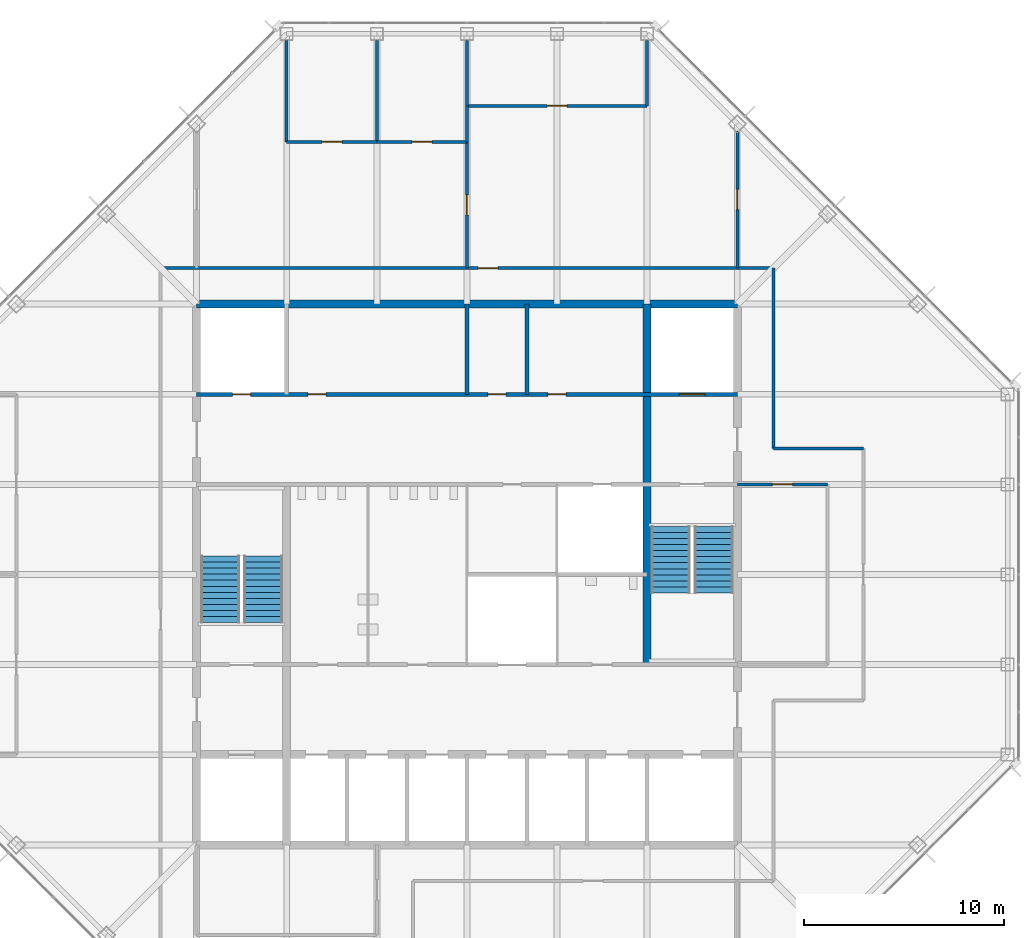
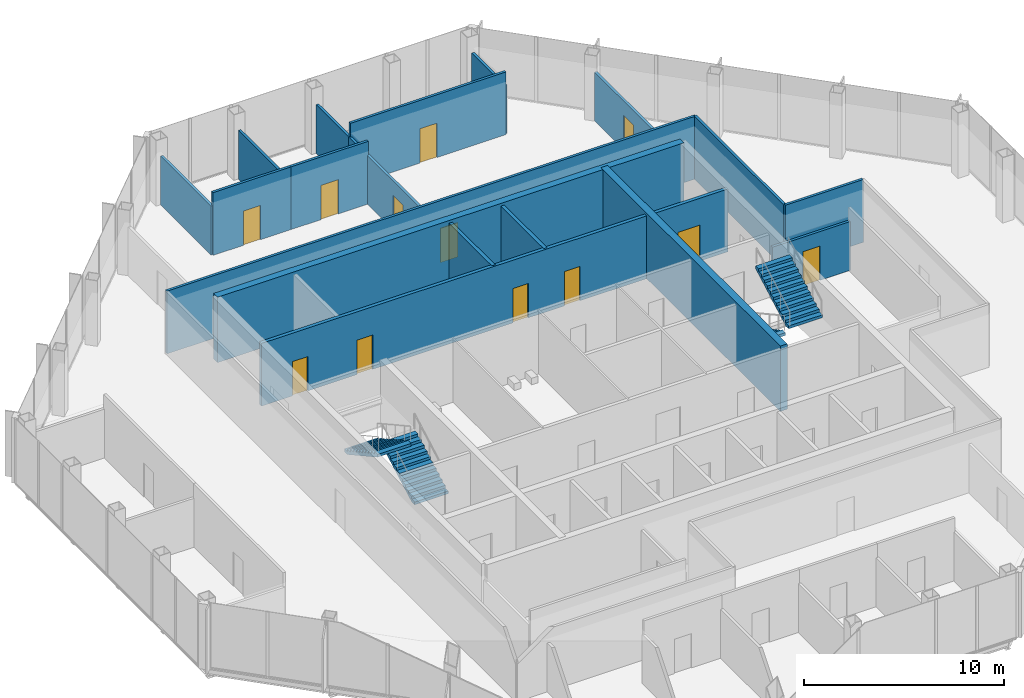
# One storey, part 11 of 13: 19 walls, 12 doors, 4 stair flights, 12 openings, 2 elements without a shape of their own.
"""IFC4 building model written with IfcOpenShell, lengths in metres."""

from ifc_helpers import new_model, si_unit, direction, frame, frame_2d, origin, place, context, subcontext, project, spatial, polyline, rectangle, outline, extrude, material, layer, layer_set, type_object, element, fill, aggregate, save


model = new_model("IFC4")

# Units and contexts
model_context = context("Model", 3, precision=1e-05, world=origin(), true_north=direction((0.0, 1.0)))
body_context = subcontext(model_context, "Body", "Model", "MODEL_VIEW")
ifc_project = project(units=[si_unit("LENGTHUNIT", "METRE"), si_unit("AREAUNIT", "SQUARE_METRE"), si_unit("VOLUMEUNIT", "CUBIC_METRE"), si_unit("PLANEANGLEUNIT", "RADIAN"), si_unit("MASSUNIT", "GRAM", prefix="KILO")], contexts=[model_context])

# Site, building, storey
site_placement = place(None, origin())
site = spatial("IfcSite", under=ifc_project, at=site_placement, CompositionType="ELEMENT")
building_placement = place(site_placement, origin())
building = spatial("IfcBuilding", under=site, at=building_placement, Name="Corais Broadcast Tower", CompositionType="ELEMENT")
storey_placement = place(building_placement, frame((0.0, 0.0, 222.60009765625)))
storey = spatial("IfcBuildingStorey", under=building, at=storey_placement, Name="L51", CompositionType="ELEMENT", Elevation=222.60009765625)

# Walls
ifc_material_1 = material(Name="Concrete C50/60", Category="concrete")
ifc_layer_1 = layer(ifc_material_1, 0.39990234375)
ifc_layer_set_1 = layer_set([ifc_layer_1], Name="Concrete C50/60")
wall_type_1 = type_object("IfcWallType", Name="Core wall 400", PredefinedType="SHEAR", material=ifc_layer_set_1)
wall_1_placement = place(storey_placement, frame((40.5, 40.5, 0.0), z_axis=(0.0, 0.0, 1.0), x_axis=(-1.0, 0.0, 0.0)))
element("IfcWall", 1, at=wall_1_placement, inside=storey, type_object=wall_type_1, Name="CR400 core wall N L51", PredefinedType="SHEAR", context=body_context, shape_type="SweptSolid", body=[
    extrude(rectangle(XDim=27.0, YDim=0.39990234375, at=frame_2d((13.5, 0.0))), origin(), (0.0, 0.0, 1.0), 4.0),
])
wall_2_placement = place(storey_placement, frame((36.0, 22.5, 0.0), z_axis=(0.0, 0.0, 1.0), x_axis=(0.0, 1.0, 0.0)))
element("IfcWall", 2, at=wall_2_placement, inside=storey, type_object=wall_type_1, Name="CR400 core wall X36B L51", PredefinedType="SHEAR", context=body_context, shape_type="SweptSolid", body=[
    extrude(rectangle(XDim=18.0, YDim=0.39990234375, at=frame_2d((9.0, 0.0))), origin(), (0.0, 0.0, 1.0), 4.0),
])

# Wall, openings, doors
ifc_material_2 = material(Name="Concrete blockwork class A, grouted, four-hour", Category="masonry")
ifc_layer_2 = layer(ifc_material_2, 0.199951171875)
ifc_layer_set_2 = layer_set([ifc_layer_2], Name="Concrete blockwork class A, grouted, four-hour")
wall_type_2 = type_object("IfcWallType", Name="Emergency lift shaft wall 200", PredefinedType="SOLIDWALL", material=ifc_layer_set_2)
wall_3_placement = place(storey_placement, frame((13.5, 36.0, 0.0), z_axis=(0.0, 0.0, 1.0), x_axis=(1.0, 0.0, 0.0)))
wall_3 = element("IfcWall", 3, at=wall_3_placement, inside=storey, type_object=wall_type_2, Name="LS3 core lobby wall Y36 L51", PredefinedType="SOLIDWALL", context=body_context, shape_type="SweptSolid", body=[
    extrude(rectangle(XDim=27.0, YDim=0.199951171875, at=frame_2d((13.5, 0.0))), origin(), (0.0, 0.0, 1.0), 3.83984375),
])
opening_1_placement = place(wall_3_placement, frame((1.800048828125, 0.0, 0.0)))
opening_1 = element("IfcOpeningElement", 4, at=opening_1_placement, cuts=wall_3, Name="Opening RD1", PredefinedType="OPENING", context=body_context, shape_type="SweptSolid", body=[
    extrude(rectangle(XDim=0.89990234375, YDim=2.10009765625, at=frame_2d((0.449951171875, 1.050048828125))), frame((0.0, 0.10986328125, 0.0), z_axis=(0.0, -1.0, 0.0), x_axis=(1.0, 0.0, 0.0)), (0.0, 0.0, 1.0), 0.219970703125),
])
opening_2_placement = place(wall_3_placement, frame((5.550048828125, 0.0, 0.0)))
opening_2 = element("IfcOpeningElement", 5, at=opening_2_placement, cuts=wall_3, Name="Opening RD1", PredefinedType="OPENING", context=body_context, shape_type="SweptSolid", body=[
    extrude(rectangle(XDim=0.89990234375, YDim=2.10009765625, at=frame_2d((0.449951171875, 1.050048828125))), frame((0.0, 0.10986328125, 0.0), z_axis=(0.0, -1.0, 0.0), x_axis=(1.0, 0.0, 0.0)), (0.0, 0.0, 1.0), 0.219970703125),
])
opening_3_placement = place(wall_3_placement, frame((14.550048828125, 0.0, 0.0)))
opening_3 = element("IfcOpeningElement", 6, at=opening_3_placement, cuts=wall_3, Name="Opening RD1", PredefinedType="OPENING", context=body_context, shape_type="SweptSolid", body=[
    extrude(rectangle(XDim=0.89990234375, YDim=2.10009765625, at=frame_2d((0.449951171875, 1.050048828125))), frame((0.0, 0.10986328125, 0.0), z_axis=(0.0, -1.0, 0.0), x_axis=(1.0, 0.0, 0.0)), (0.0, 0.0, 1.0), 0.219970703125),
])
opening_4_placement = place(wall_3_placement, frame((17.550048828125, 0.0, 0.0)))
opening_4 = element("IfcOpeningElement", 7, at=opening_4_placement, cuts=wall_3, Name="Opening RD1", PredefinedType="OPENING", context=body_context, shape_type="SweptSolid", body=[
    extrude(rectangle(XDim=0.89990234375, YDim=2.10009765625, at=frame_2d((0.449951171875, 1.050048828125))), frame((0.0, 0.10986328125, 0.0), z_axis=(0.0, -1.0, 0.0), x_axis=(1.0, 0.0, 0.0)), (0.0, 0.0, 1.0), 0.219970703125),
])
opening_5_placement = place(wall_3_placement, frame((24.10009765625, 0.0, 0.0)))
opening_5 = element("IfcOpeningElement", 8, at=opening_5_placement, cuts=wall_3, Name="Opening LD2", PredefinedType="OPENING", context=body_context, shape_type="SweptSolid", body=[
    extrude(rectangle(XDim=1.300048828125, YDim=2.199951171875, at=frame_2d((0.64990234375, 1.10009765625))), frame((0.0, 0.10986328125, 0.0), z_axis=(0.0, -1.0, 0.0), x_axis=(1.0, 0.0, 0.0)), (0.0, 0.0, 1.0), 0.219970703125),
])
ifc_material_3 = material(Name="Stainless steel lift door", Category="steel")
door_type_1 = type_object("IfcDoorType", Name="Lift landing door 1300x2200", OperationType="SLIDING_TO_LEFT", PredefinedType="DOOR", material=ifc_material_3)
door_1_placement = place(opening_5_placement, origin())
door_1 = element("IfcDoor", 9, at=door_1_placement, inside=storey, type_object=door_type_1, Name="LD2 FL2 landing door L51", OperationType="SLIDING_TO_LEFT", OverallHeight=2.199951171875, OverallWidth=1.300048828125, PredefinedType="DOOR", context=body_context, shape_type="SweptSolid", body=[
    extrude(rectangle(XDim=1.300048828125, YDim=2.199951171875, at=frame_2d((0.64990234375, 1.10009765625))), frame((0.0, 0.02490234375, 0.0), z_axis=(0.0, -1.0, 0.0), x_axis=(1.0, 0.0, 0.0)), (0.0, 0.0, 1.0), 0.050048828125),
])
fill(opening_5, door_1)
ifc_material_4 = material(Name="Steel fire door", Category="steel")
door_type_2 = type_object("IfcDoorType", Name="Riser door 900x2100", OperationType="SINGLE_SWING_LEFT", PredefinedType="DOOR", material=ifc_material_4)
door_2_placement = place(opening_1_placement, origin())
door_2 = element("IfcDoor", 10, at=door_2_placement, inside=storey, type_object=door_type_2, Name="RD1 riser door L51", OperationType="SINGLE_SWING_LEFT", OverallHeight=2.10009765625, OverallWidth=0.89990234375, PredefinedType="DOOR", context=body_context, shape_type="SweptSolid", body=[
    extrude(rectangle(XDim=0.89990234375, YDim=2.10009765625, at=frame_2d((0.449951171875, 1.050048828125))), frame((0.0, 0.02490234375, 0.0), z_axis=(0.0, -1.0, 0.0), x_axis=(1.0, 0.0, 0.0)), (0.0, 0.0, 1.0), 0.050048828125),
])
fill(opening_1, door_2)
door_3_placement = place(opening_2_placement, origin())
door_3 = element("IfcDoor", 11, at=door_3_placement, inside=storey, type_object=door_type_2, Name="RD1 media store door L51", OperationType="SINGLE_SWING_LEFT", OverallHeight=2.10009765625, OverallWidth=0.89990234375, PredefinedType="DOOR", context=body_context, shape_type="SweptSolid", body=[
    extrude(rectangle(XDim=0.89990234375, YDim=2.10009765625, at=frame_2d((0.449951171875, 1.050048828125))), frame((0.0, 0.02490234375, 0.0), z_axis=(0.0, -1.0, 0.0), x_axis=(1.0, 0.0, 0.0)), (0.0, 0.0, 1.0), 0.050048828125),
])
fill(opening_2, door_3)
door_4_placement = place(opening_3_placement, origin())
door_4 = element("IfcDoor", 12, at=door_4_placement, inside=storey, type_object=door_type_2, Name="RD1 locker room door L51", OperationType="SINGLE_SWING_RIGHT", OverallHeight=2.10009765625, OverallWidth=0.89990234375, PredefinedType="DOOR", context=body_context, shape_type="SweptSolid", body=[
    extrude(rectangle(XDim=0.89990234375, YDim=2.10009765625, at=frame_2d((0.449951171875, 1.050048828125))), frame((0.0, 0.02490234375, 0.0), z_axis=(0.0, -1.0, 0.0), x_axis=(1.0, 0.0, 0.0)), (0.0, 0.0, 1.0), 0.050048828125),
])
fill(opening_3, door_4)
door_5_placement = place(opening_4_placement, origin())
door_5 = element("IfcDoor", 13, at=door_5_placement, inside=storey, type_object=door_type_2, Name="RD1 print room door L51", OperationType="SINGLE_SWING_RIGHT", OverallHeight=2.10009765625, OverallWidth=0.89990234375, PredefinedType="DOOR", context=body_context, shape_type="SweptSolid", body=[
    extrude(rectangle(XDim=0.89990234375, YDim=2.10009765625, at=frame_2d((0.449951171875, 1.050048828125))), frame((0.0, 0.02490234375, 0.0), z_axis=(0.0, -1.0, 0.0), x_axis=(1.0, 0.0, 0.0)), (0.0, 0.0, 1.0), 0.050048828125),
])
fill(opening_4, door_5)

# Wall, opening, door
ifc_material_5 = material(Name="Gypsum board on steel studs", Category="steel")
ifc_layer_3 = layer(ifc_material_5, 0.14990234375)
ifc_layer_set_3 = layer_set([ifc_layer_3], Name="Gypsum board on steel studs")
wall_type_3 = type_object("IfcWallType", Name="Partition 150", PredefinedType="PARTITIONING", material=ifc_layer_set_3)
wall_4_placement = place(storey_placement, frame((42.300048828125, 42.300048828125, 0.0), z_axis=(0.0, 0.0, 1.0), x_axis=(-1.0, 0.0, 0.0)))
wall_4 = element("IfcWall", 14, at=wall_4_placement, inside=storey, type_object=wall_type_3, Name="IW3 corridor wall L51", PredefinedType="PARTITIONING", context=body_context, shape_type="SweptSolid", body=[
    extrude(rectangle(XDim=30.60009765625, YDim=0.14990234375, at=frame_2d((15.300048828125, 0.0))), origin(), (0.0, 0.0, 1.0), 3.83984375),
])
opening_6_placement = place(wall_4_placement, frame((13.75, 0.0, 0.0)))
opening_6 = element("IfcOpeningElement", 15, at=opening_6_placement, cuts=wall_4, Name="Opening D1", PredefinedType="OPENING", context=body_context, shape_type="SweptSolid", body=[
    extrude(rectangle(XDim=1.0, YDim=2.10009765625, at=frame_2d((0.5, 1.050048828125))), frame((0.0, 0.0849609375, 0.0), z_axis=(0.0, -1.0, 0.0), x_axis=(1.0, 0.0, 0.0)), (0.0, 0.0, 1.0), 0.169921875),
])
ifc_material_6 = material(Name="Timber door", Category="wood")
door_type_3 = type_object("IfcDoorType", Name="Single door 1000x2100", OperationType="SINGLE_SWING_LEFT", PredefinedType="DOOR", material=ifc_material_6)
door_6_placement = place(opening_6_placement, origin())
door_6 = element("IfcDoor", 16, at=door_6_placement, inside=storey, type_object=door_type_3, Name="D1 workplace door L51", OperationType="SINGLE_SWING_LEFT", OverallHeight=2.10009765625, OverallWidth=1.0, PredefinedType="DOOR", context=body_context, shape_type="SweptSolid", body=[
    extrude(rectangle(XDim=1.0, YDim=2.10009765625, at=frame_2d((0.5, 1.050048828125))), frame((0.0, 0.02490234375, 0.0), z_axis=(0.0, -1.0, 0.0), x_axis=(1.0, 0.0, 0.0)), (0.0, 0.0, 1.0), 0.050048828125),
])
fill(opening_6, door_6)

# Walls
wall_5_placement = place(storey_placement, frame((42.300048828125, 33.300048828125, 0.0), z_axis=(0.0, 0.0, 1.0), x_axis=(0.0, 1.0, 0.0)))
element("IfcWall", 17, at=wall_5_placement, inside=storey, type_object=wall_type_3, Name="IW3 corridor wall L51", PredefinedType="PARTITIONING", context=body_context, shape_type="SweptSolid", body=[
    extrude(rectangle(XDim=9.0, YDim=0.14990234375, at=frame_2d((4.5, 0.0))), origin(), (0.0, 0.0, 1.0), 3.83984375),
])
wall_6_placement = place(storey_placement, frame((46.800048828125, 33.300048828125, 0.0), z_axis=(0.0, 0.0, 1.0), x_axis=(-1.0, 0.0, 0.0)))
element("IfcWall", 18, at=wall_6_placement, inside=storey, type_object=wall_type_3, Name="IW3 corridor wall L51", PredefinedType="PARTITIONING", context=body_context, shape_type="SweptSolid", body=[
    extrude(rectangle(XDim=4.5, YDim=0.14990234375, at=frame_2d((2.25, 0.0))), origin(), (0.0, 0.0, 1.0), 3.83984375),
])

# Wall, opening, door
wall_7_placement = place(storey_placement, frame((45.0, 31.5, 0.0), z_axis=(0.0, 0.0, 1.0), x_axis=(-1.0, 0.0, 0.0)))
wall_7 = element("IfcWall", 19, at=wall_7_placement, inside=storey, type_object=wall_type_3, Name="IW3 partition L51", PredefinedType="PARTITIONING", context=body_context, shape_type="SweptSolid", body=[
    extrude(rectangle(XDim=4.5, YDim=0.14990234375, at=frame_2d((2.25, 0.0))), origin(), (0.0, 0.0, 1.0), 2.989013671875),
])
opening_7_placement = place(wall_7_placement, frame((1.75, 0.0, 0.0)))
opening_7 = element("IfcOpeningElement", 20, at=opening_7_placement, cuts=wall_7, Name="Opening D1", PredefinedType="OPENING", context=body_context, shape_type="SweptSolid", body=[
    extrude(rectangle(XDim=1.0, YDim=2.10009765625, at=frame_2d((0.5, 1.050048828125))), frame((0.0, 0.0849609375, 0.0), z_axis=(0.0, -1.0, 0.0), x_axis=(1.0, 0.0, 0.0)), (0.0, 0.0, 1.0), 0.169921875),
])
door_7_placement = place(opening_7_placement, origin())
door_7 = element("IfcDoor", 21, at=door_7_placement, inside=storey, type_object=door_type_3, Name="D1 Meeting room door", OperationType="SINGLE_SWING_LEFT", OverallHeight=2.10009765625, OverallWidth=1.0, PredefinedType="DOOR", context=body_context, shape_type="SweptSolid", body=[
    extrude(rectangle(XDim=1.0, YDim=2.10009765625, at=frame_2d((0.5, 1.050048828125))), frame((0.0, 0.02490234375, 0.0), z_axis=(0.0, -1.0, 0.0), x_axis=(1.0, 0.0, 0.0)), (0.0, 0.0, 1.0), 0.050048828125),
])
fill(opening_7, door_7)

wall_8_placement = place(storey_placement, frame((27.0, 50.39990234375, 0.0), z_axis=(0.0, 0.0, 1.0), x_axis=(1.0, 0.0, 0.0)))
wall_8 = element("IfcWall", 22, at=wall_8_placement, inside=storey, type_object=wall_type_3, Name="IW3 partition L51", PredefinedType="PARTITIONING", context=body_context, shape_type="SweptSolid", body=[
    extrude(rectangle(XDim=9.0, YDim=0.14990234375, at=frame_2d((4.5, 0.0))), origin(), (0.0, 0.0, 1.0), 3.83984375),
])
opening_8_placement = place(wall_8_placement, frame((4.0, 0.0, 0.0)))
opening_8 = element("IfcOpeningElement", 23, at=opening_8_placement, cuts=wall_8, Name="Opening D1", PredefinedType="OPENING", context=body_context, shape_type="SweptSolid", body=[
    extrude(rectangle(XDim=1.0, YDim=2.10009765625, at=frame_2d((0.5, 1.050048828125))), frame((0.0, 0.0849609375, 0.0), z_axis=(0.0, -1.0, 0.0), x_axis=(1.0, 0.0, 0.0)), (0.0, 0.0, 1.0), 0.169921875),
])
door_8_placement = place(opening_8_placement, origin())
door_8 = element("IfcDoor", 24, at=door_8_placement, inside=storey, type_object=door_type_3, Name="D1 Pantry door", OperationType="SINGLE_SWING_LEFT", OverallHeight=2.10009765625, OverallWidth=1.0, PredefinedType="DOOR", context=body_context, shape_type="SweptSolid", body=[
    extrude(rectangle(XDim=1.0, YDim=2.10009765625, at=frame_2d((0.5, 1.050048828125))), frame((0.0, 0.02490234375, 0.0), z_axis=(0.0, -1.0, 0.0), x_axis=(1.0, 0.0, 0.0)), (0.0, 0.0, 1.0), 0.050048828125),
])
fill(opening_8, door_8)

# Walls
for number, where, z_axis, x_axis, name in (
    (25, (36.0, 50.39990234375, 0.0), (0.0, 0.0, 1.0), (0.0, 1.0, 0.0), "IW3 partition L51"),
    (26, (27.0, 53.6650390625, 0.0), (0.0, 0.0, 1.0), (0.0, -1.0, 0.0), "IW3 partition L51"),
):
    element("IfcWall", number, at=place(storey_placement, frame(where, z_axis=z_axis, x_axis=x_axis)), inside=storey, type_object=wall_type_3, Name=name, PredefinedType="PARTITIONING", context=body_context, shape_type="SweptSolid", body=[
        extrude(rectangle(XDim=3.26513671875, YDim=0.14990234375, at=frame_2d((1.632568359375, 0.0))), origin(), (0.0, 0.0, 1.0), 2.989013671875),
    ])

# Wall, opening, door
wall_9_placement = place(storey_placement, frame((18.0, 48.60009765625, 0.0), z_axis=(0.0, 0.0, 1.0), x_axis=(1.0, 0.0, 0.0)))
wall_9 = element("IfcWall", 27, at=wall_9_placement, inside=storey, type_object=wall_type_3, Name="IW3 partition L51", PredefinedType="PARTITIONING", context=body_context, shape_type="SweptSolid", body=[
    extrude(rectangle(XDim=4.5, YDim=0.14990234375, at=frame_2d((2.25, 0.0))), origin(), (0.0, 0.0, 1.0), 3.83984375),
])
opening_9_placement = place(wall_9_placement, frame((1.75, 0.0, 0.0)))
opening_9 = element("IfcOpeningElement", 28, at=opening_9_placement, cuts=wall_9, Name="Opening D1", PredefinedType="OPENING", context=body_context, shape_type="SweptSolid", body=[
    extrude(rectangle(XDim=1.0, YDim=2.10009765625, at=frame_2d((0.5, 1.050048828125))), frame((0.0, 0.0849609375, 0.0), z_axis=(0.0, -1.0, 0.0), x_axis=(1.0, 0.0, 0.0)), (0.0, 0.0, 1.0), 0.169921875),
])
door_9_placement = place(opening_9_placement, origin())
door_9 = element("IfcDoor", 29, at=door_9_placement, inside=storey, type_object=door_type_3, Name="D1 Press office door", OperationType="SINGLE_SWING_LEFT", OverallHeight=2.10009765625, OverallWidth=1.0, PredefinedType="DOOR", context=body_context, shape_type="SweptSolid", body=[
    extrude(rectangle(XDim=1.0, YDim=2.10009765625, at=frame_2d((0.5, 1.050048828125))), frame((0.0, 0.02490234375, 0.0), z_axis=(0.0, -1.0, 0.0), x_axis=(1.0, 0.0, 0.0)), (0.0, 0.0, 1.0), 0.050048828125),
])
fill(opening_9, door_9)

# Walls
for number, where, z_axis, x_axis, name in (
    (30, (22.5, 48.60009765625, 0.0), (0.0, 0.0, 1.0), (0.0, 1.0, 0.0), "IW3 partition L51"),
    (31, (18.0, 53.6650390625, 0.0), (0.0, 0.0, 1.0), (0.0, -1.0, 0.0), "IW3 partition L51"),
):
    element("IfcWall", number, at=place(storey_placement, frame(where, z_axis=z_axis, x_axis=x_axis)), inside=storey, type_object=wall_type_3, Name=name, PredefinedType="PARTITIONING", context=body_context, shape_type="SweptSolid", body=[
        extrude(rectangle(XDim=5.06494140625, YDim=0.14990234375, at=frame_2d((2.532470703125, 0.0))), origin(), (0.0, 0.0, 1.0), 2.989013671875),
    ])

# Wall, opening, door
wall_10_placement = place(storey_placement, frame((22.5, 48.60009765625, 0.0), z_axis=(0.0, 0.0, 1.0), x_axis=(1.0, 0.0, 0.0)))
wall_10 = element("IfcWall", 32, at=wall_10_placement, inside=storey, type_object=wall_type_3, Name="IW3 partition L51", PredefinedType="PARTITIONING", context=body_context, shape_type="SweptSolid", body=[
    extrude(rectangle(XDim=4.5, YDim=0.14990234375, at=frame_2d((2.25, 0.0))), origin(), (0.0, 0.0, 1.0), 3.83984375),
])
opening_10_placement = place(wall_10_placement, frame((1.75, 0.0, 0.0)))
opening_10 = element("IfcOpeningElement", 33, at=opening_10_placement, cuts=wall_10, Name="Opening D1", PredefinedType="OPENING", context=body_context, shape_type="SweptSolid", body=[
    extrude(rectangle(XDim=1.0, YDim=2.10009765625, at=frame_2d((0.5, 1.050048828125))), frame((0.0, 0.0849609375, 0.0), z_axis=(0.0, -1.0, 0.0), x_axis=(1.0, 0.0, 0.0)), (0.0, 0.0, 1.0), 0.169921875),
])
door_10_placement = place(opening_10_placement, origin())
door_10 = element("IfcDoor", 34, at=door_10_placement, inside=storey, type_object=door_type_3, Name="D1 Press office door", OperationType="SINGLE_SWING_LEFT", OverallHeight=2.10009765625, OverallWidth=1.0, PredefinedType="DOOR", context=body_context, shape_type="SweptSolid", body=[
    extrude(rectangle(XDim=1.0, YDim=2.10009765625, at=frame_2d((0.5, 1.050048828125))), frame((0.0, 0.02490234375, 0.0), z_axis=(0.0, -1.0, 0.0), x_axis=(1.0, 0.0, 0.0)), (0.0, 0.0, 1.0), 0.050048828125),
])
fill(opening_10, door_10)

# Wall
wall_11_placement = place(storey_placement, frame((27.0, 48.60009765625, 0.0), z_axis=(0.0, 0.0, 1.0), x_axis=(0.0, 1.0, 0.0)))
element("IfcWall", 35, at=wall_11_placement, inside=storey, type_object=wall_type_3, Name="IW3 partition L51", PredefinedType="PARTITIONING", context=body_context, shape_type="SweptSolid", body=[
    extrude(rectangle(XDim=1.7998046875, YDim=0.14990234375, at=frame_2d((0.89990234375, 0.0))), origin(), (0.0, 0.0, 1.0), 2.989013671875),
])

# Wall, opening, door
wall_12_placement = place(storey_placement, frame((40.5, 49.155029296875, 0.0), z_axis=(0.0, 0.0, 1.0), x_axis=(0.0, -1.0, 0.0)))
wall_12 = element("IfcWall", 36, at=wall_12_placement, inside=storey, type_object=wall_type_3, Name="IW3 partition L51", PredefinedType="PARTITIONING", context=body_context, shape_type="SweptSolid", body=[
    extrude(rectangle(XDim=6.85498046875, YDim=0.14990234375, at=frame_2d((3.427490234375, 0.0))), origin(), (0.0, 0.0, 1.0), 2.989013671875),
])
opening_11_placement = place(wall_12_placement, frame((2.927490234375, 0.0, 0.0)))
opening_11 = element("IfcOpeningElement", 37, at=opening_11_placement, cuts=wall_12, Name="Opening D1", PredefinedType="OPENING", context=body_context, shape_type="SweptSolid", body=[
    extrude(rectangle(XDim=1.0, YDim=2.10009765625, at=frame_2d((0.5, 1.050048828125))), frame((0.0, 0.0849609375, 0.0), z_axis=(0.0, -1.0, 0.0), x_axis=(1.0, 0.0, 0.0)), (0.0, 0.0, 1.0), 0.169921875),
])
door_11_placement = place(opening_11_placement, origin())
door_11 = element("IfcDoor", 38, at=door_11_placement, inside=storey, type_object=door_type_3, Name="D1 team room door L51", OperationType="SINGLE_SWING_LEFT", OverallHeight=2.10009765625, OverallWidth=1.0, PredefinedType="DOOR", context=body_context, shape_type="SweptSolid", body=[
    extrude(rectangle(XDim=1.0, YDim=2.10009765625, at=frame_2d((0.5, 1.050048828125))), frame((0.0, 0.02490234375, 0.0), z_axis=(0.0, -1.0, 0.0), x_axis=(1.0, 0.0, 0.0)), (0.0, 0.0, 1.0), 0.050048828125),
])
fill(opening_11, door_11)

wall_13_placement = place(storey_placement, frame((27.0, 42.300048828125, 0.0), z_axis=(0.0, 0.0, 1.0), x_axis=(0.0, 1.0, 0.0)))
wall_13 = element("IfcWall", 39, at=wall_13_placement, inside=storey, type_object=wall_type_3, Name="IW3 partition L51", PredefinedType="PARTITIONING", context=body_context, shape_type="SweptSolid", body=[
    extrude(rectangle(XDim=6.320068359375, YDim=0.14990234375, at=frame_2d((3.16015625, 0.0))), origin(), (0.0, 0.0, 1.0), 2.989013671875),
])
opening_12_placement = place(wall_13_placement, frame((2.659912109375, 0.0, 0.0)))
opening_12 = element("IfcOpeningElement", 40, at=opening_12_placement, cuts=wall_13, Name="Opening D1", PredefinedType="OPENING", context=body_context, shape_type="SweptSolid", body=[
    extrude(rectangle(XDim=1.0, YDim=2.10009765625, at=frame_2d((0.5, 1.050048828125))), frame((0.0, 0.0849609375, 0.0), z_axis=(0.0, -1.0, 0.0), x_axis=(1.0, 0.0, 0.0)), (0.0, 0.0, 1.0), 0.169921875),
])
door_12_placement = place(opening_12_placement, origin())
door_12 = element("IfcDoor", 41, at=door_12_placement, inside=storey, type_object=door_type_3, Name="D1 team room door L51", OperationType="SINGLE_SWING_LEFT", OverallHeight=2.10009765625, OverallWidth=1.0, PredefinedType="DOOR", context=body_context, shape_type="SweptSolid", body=[
    extrude(rectangle(XDim=1.0, YDim=2.10009765625, at=frame_2d((0.5, 1.050048828125))), frame((0.0, 0.02490234375, 0.0), z_axis=(0.0, -1.0, 0.0), x_axis=(1.0, 0.0, 0.0)), (0.0, 0.0, 1.0), 0.050048828125),
])
fill(opening_12, door_12)

# Walls
ifc_material_7 = material(Name="Concrete blockwork class A, grouted, two-hour", Category="masonry")
ifc_layer_4 = layer(ifc_material_7, 0.199951171875)
ifc_layer_set_4 = layer_set([ifc_layer_4], Name="Concrete blockwork class A, grouted, two-hour")
wall_type_4 = type_object("IfcWallType", Name="Shaft wall 200", PredefinedType="PARTITIONING", material=ifc_layer_set_4)
for number, where, z_axis, x_axis, name in (
    (42, (27.0, 36.0, 0.0), (0.0, 0.0, 1.0), (0.0, 1.0, 0.0), "IW1 shaft wall L51"),
    (43, (30.0, 36.0, 0.0), (0.0, 0.0, 1.0), (0.0, 1.0, 0.0), "IW1 shaft wall L51"),
):
    element("IfcWall", number, at=place(storey_placement, frame(where, z_axis=z_axis, x_axis=x_axis)), inside=storey, type_object=wall_type_4, Name=name, PredefinedType="PARTITIONING", context=body_context, shape_type="SweptSolid", body=[
        extrude(rectangle(XDim=4.5, YDim=0.199951171875, at=frame_2d((2.25, 0.0))), origin(), (0.0, 0.0, 1.0), 3.83984375),
    ])

# Stair, stair flights
ifc_material_8 = material(Name="Concrete C30/37", Category="concrete")
stair_type = type_object("IfcStairType", Name="Half-turn stair 4000", PredefinedType="HALF_TURN_STAIR", material=ifc_material_8)
stair_1_placement = place(storey_placement, origin())
stair_1 = element("IfcStair", 44, at=stair_1_placement, inside=storey, type_object=stair_type, Name="Stair A L51", PredefinedType="HALF_TURN_STAIR")
ifc_material_9 = material(Name="Concrete C30/37", Category="concrete")
stair_flight_type = type_object("IfcStairFlightType", Name="Stair flight 4000", PredefinedType="STRAIGHT", material=ifc_material_9)
stair_flight_1_placement = place(storey_placement, frame((16.824951171875, 24.60009765625, 0.0), z_axis=(0.0, 0.0, 1.0), x_axis=(0.0, 1.0, 0.0)))
stair_flight_1 = element("IfcStairFlight", 45, at=stair_flight_1_placement, type_object=stair_flight_type, Name="STA flight 1", NumberOfRisers=12, NumberOfTreads=11, PredefinedType="STRAIGHT", RiserHeight=0.166666667, TreadLength=0.302, context=body_context, shape_type="SweptSolid", body=[
    extrude(outline(polyline([(0.0, 0.0), (0.0, 0.166748046875), (0.302001953125, 0.166748046875), (0.302001953125, 0.333251953125), (0.60400390625, 0.333251953125), (0.60400390625, 0.5), (0.906005859375, 0.5), (0.906005859375, 0.666748046875), (1.2080078125, 0.666748046875), (1.2080078125, 0.833251953125), (1.510009765625, 0.833251953125), (1.510009765625, 1.0), (1.81201171875, 1.0), (1.81201171875, 1.166748046875), (2.114013671875, 1.166748046875), (2.114013671875, 1.333251953125), (2.416015625, 1.333251953125), (2.416015625, 1.5), (2.718017578125, 1.5), (2.718017578125, 1.666748046875), (3.02001953125, 1.666748046875), (3.02001953125, 1.833251953125), (3.322021484375, 1.833251953125), (3.322021484375, 2.0), (3.322021484375, 1.662109375), (0.310302734375, 0.0), (0.0, 0.0)])), frame((0.0, 0.97509765625, 0.0), z_axis=(0.0, -1.0, 0.0), x_axis=(1.0, 0.0, 0.0)), (0.0, 0.0, 1.0), 1.949951171875),
])
stair_flight_2_placement = place(storey_placement, frame((14.675048828125, 27.922119140625, 2.0), z_axis=(0.0, 0.0, 1.0), x_axis=(0.0, -1.0, 0.0)))
stair_flight_2 = element("IfcStairFlight", 46, at=stair_flight_2_placement, type_object=stair_flight_type, Name="STA flight 2", NumberOfRisers=12, NumberOfTreads=11, PredefinedType="STRAIGHT", RiserHeight=0.166666667, TreadLength=0.302, context=body_context, shape_type="SweptSolid", body=[
    extrude(outline(polyline([(0.0, 0.0), (0.0, 0.166748046875), (0.302001953125, 0.166748046875), (0.302001953125, 0.333251953125), (0.60400390625, 0.333251953125), (0.60400390625, 0.5), (0.906005859375, 0.5), (0.906005859375, 0.666748046875), (1.2080078125, 0.666748046875), (1.2080078125, 0.833251953125), (1.510009765625, 0.833251953125), (1.510009765625, 1.0), (1.81201171875, 1.0), (1.81201171875, 1.166748046875), (2.114013671875, 1.166748046875), (2.114013671875, 1.333251953125), (2.416015625, 1.333251953125), (2.416015625, 1.5), (2.718017578125, 1.5), (2.718017578125, 1.666748046875), (3.02001953125, 1.666748046875), (3.02001953125, 1.833251953125), (3.322021484375, 1.833251953125), (3.322021484375, 2.0), (3.322021484375, 1.662109375), (0.310302734375, 0.0), (0.0, 0.0)])), frame((0.0, 0.97509765625, 0.0), z_axis=(0.0, -1.0, 0.0), x_axis=(1.0, 0.0, 0.0)), (0.0, 0.0, 1.0), 1.949951171875),
])
aggregate(stair_1, [stair_flight_1, stair_flight_2])

stair_2_placement = place(storey_placement, origin())
stair_2 = element("IfcStair", 47, at=stair_2_placement, inside=storey, type_object=stair_type, Name="Stair B L51", PredefinedType="HALF_TURN_STAIR")
stair_flight_3_placement = place(storey_placement, frame((37.175048828125, 29.39990234375, 0.0), z_axis=(0.0, 0.0, 1.0), x_axis=(0.0, -1.0, 0.0)))
stair_flight_3 = element("IfcStairFlight", 48, at=stair_flight_3_placement, type_object=stair_flight_type, Name="STB flight 1", NumberOfRisers=12, NumberOfTreads=11, PredefinedType="STRAIGHT", RiserHeight=0.166666667, TreadLength=0.302, context=body_context, shape_type="SweptSolid", body=[
    extrude(outline(polyline([(0.0, 0.0), (0.0, 0.166748046875), (0.302001953125, 0.166748046875), (0.302001953125, 0.333251953125), (0.60400390625, 0.333251953125), (0.60400390625, 0.5), (0.906005859375, 0.5), (0.906005859375, 0.666748046875), (1.2080078125, 0.666748046875), (1.2080078125, 0.833251953125), (1.510009765625, 0.833251953125), (1.510009765625, 1.0), (1.81201171875, 1.0), (1.81201171875, 1.166748046875), (2.114013671875, 1.166748046875), (2.114013671875, 1.333251953125), (2.416015625, 1.333251953125), (2.416015625, 1.5), (2.718017578125, 1.5), (2.718017578125, 1.666748046875), (3.02001953125, 1.666748046875), (3.02001953125, 1.833251953125), (3.322021484375, 1.833251953125), (3.322021484375, 2.0), (3.322021484375, 1.662109375), (0.310302734375, 0.0), (0.0, 0.0)])), frame((0.0, 0.97509765625, 0.0), z_axis=(0.0, -1.0, 0.0), x_axis=(1.0, 0.0, 0.0)), (0.0, 0.0, 1.0), 1.949951171875),
])
stair_flight_4_placement = place(storey_placement, frame((39.324951171875, 26.077880859375, 2.0), z_axis=(0.0, 0.0, 1.0), x_axis=(0.0, 1.0, 0.0)))
stair_flight_4 = element("IfcStairFlight", 49, at=stair_flight_4_placement, type_object=stair_flight_type, Name="STB flight 2", NumberOfRisers=12, NumberOfTreads=11, PredefinedType="STRAIGHT", RiserHeight=0.166666667, TreadLength=0.302, context=body_context, shape_type="SweptSolid", body=[
    extrude(outline(polyline([(0.0, 0.0), (0.0, 0.166748046875), (0.302001953125, 0.166748046875), (0.302001953125, 0.333251953125), (0.60400390625, 0.333251953125), (0.60400390625, 0.5), (0.906005859375, 0.5), (0.906005859375, 0.666748046875), (1.2080078125, 0.666748046875), (1.2080078125, 0.833251953125), (1.510009765625, 0.833251953125), (1.510009765625, 1.0), (1.81201171875, 1.0), (1.81201171875, 1.166748046875), (2.114013671875, 1.166748046875), (2.114013671875, 1.333251953125), (2.416015625, 1.333251953125), (2.416015625, 1.5), (2.718017578125, 1.5), (2.718017578125, 1.666748046875), (3.02001953125, 1.666748046875), (3.02001953125, 1.833251953125), (3.322021484375, 1.833251953125), (3.322021484375, 2.0), (3.322021484375, 1.662109375), (0.310302734375, 0.0), (0.0, 0.0)])), frame((0.0, 0.97509765625, 0.0), z_axis=(0.0, -1.0, 0.0), x_axis=(1.0, 0.0, 0.0)), (0.0, 0.0, 1.0), 1.949951171875),
])
aggregate(stair_2, [stair_flight_3, stair_flight_4])

save(model, "model.ifc")
